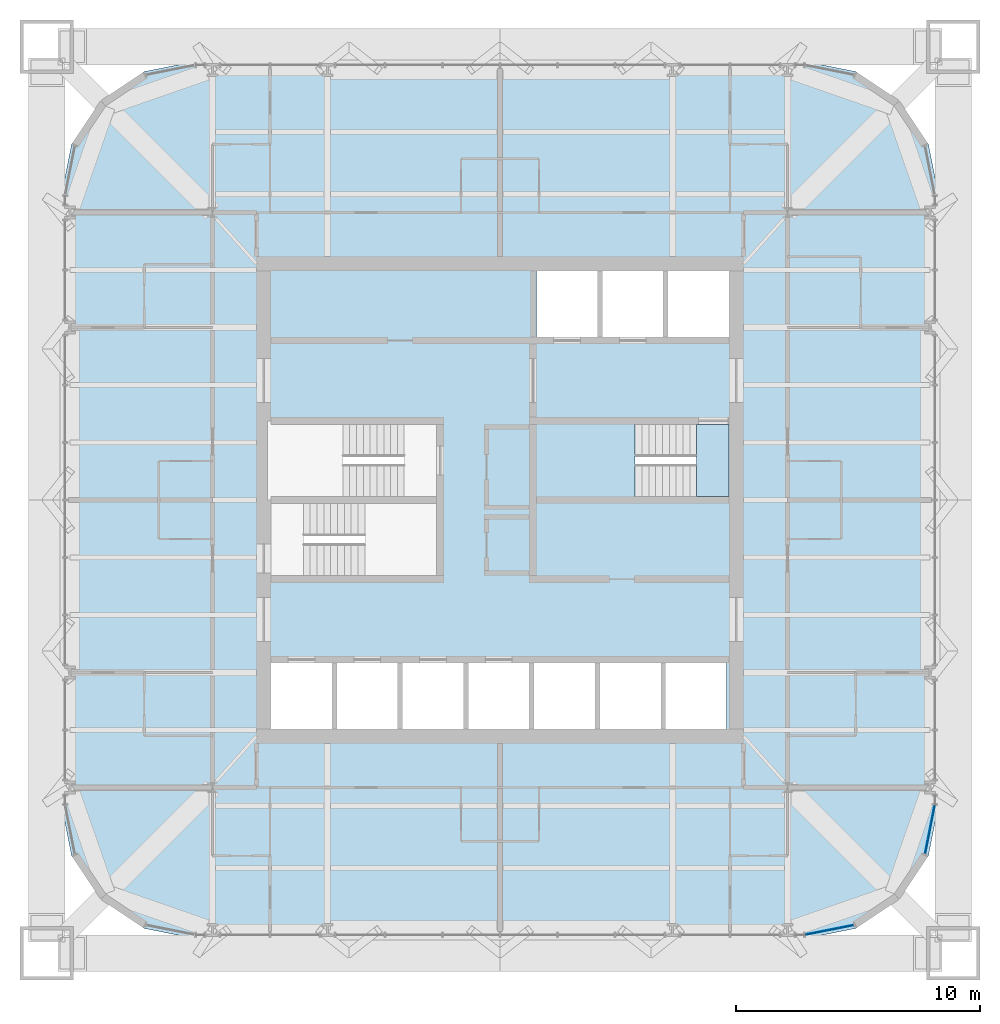
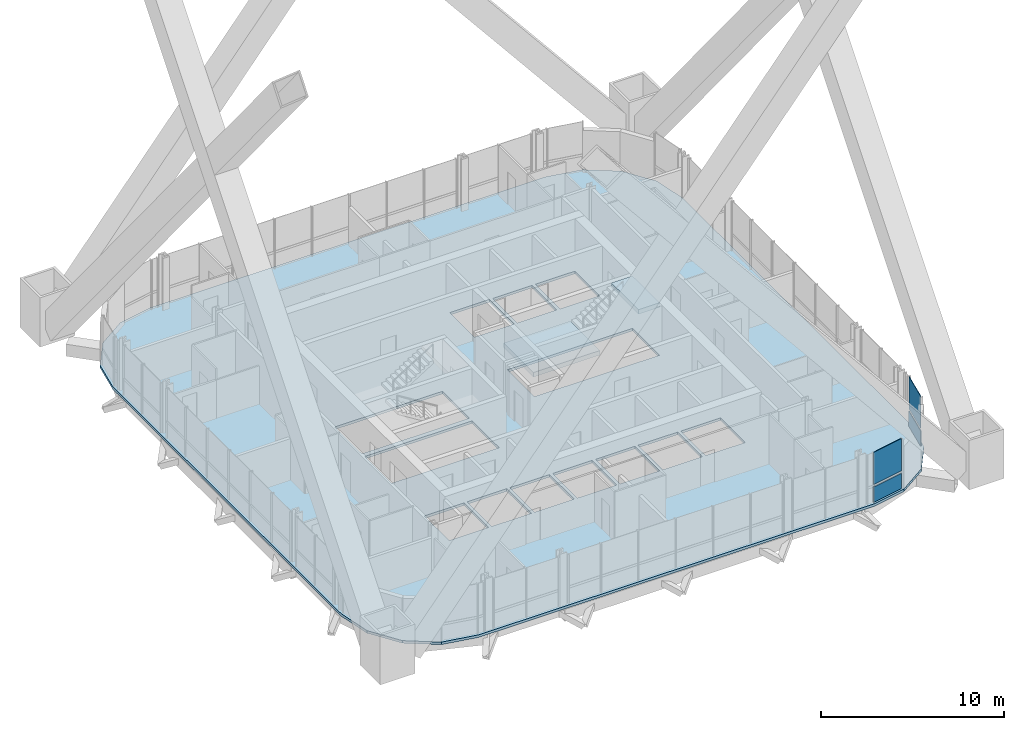
# One storey, part 16 of 23: 4 plates, 3 slabs, 3 elements without a shape of their own.
"""IFC4 building model written with IfcOpenShell, lengths in metres."""

from ifc_helpers import new_model, si_unit, direction, frame, origin, origin_2d, place, context, subcontext, project, spatial, polyline, rectangle, outline, extrude, material, layer, layer_set, type_object, element, aggregate, save


model = new_model("IFC4")

# Units and contexts
model_context = context("Model", 3, precision=1e-05, world=origin(), true_north=direction((0.0, 1.0)))
body_context = subcontext(model_context, "Body", "Model", "MODEL_VIEW")
ifc_project = project(units=[si_unit("LENGTHUNIT", "METRE"), si_unit("AREAUNIT", "SQUARE_METRE"), si_unit("VOLUMEUNIT", "CUBIC_METRE"), si_unit("PLANEANGLEUNIT", "RADIAN"), si_unit("MASSUNIT", "GRAM", prefix="KILO")], contexts=[model_context])

# Site, building, storey
site_placement = place(None, origin())
site = spatial("IfcSite", under=ifc_project, at=site_placement, CompositionType="ELEMENT")
building_placement = place(site_placement, origin())
building = spatial("IfcBuilding", under=site, at=building_placement, Name="Turquesa Mirador Hotel Tower", CompositionType="ELEMENT")
storey_placement = place(building_placement, frame((0.0, 0.0, 226.699951171875)))
storey = spatial("IfcBuildingStorey", under=building, at=storey_placement, Name="L61", CompositionType="ELEMENT", Elevation=226.699951171875)

# Slab
ifc_material_1 = material(Name="Concrete C28/35", Category="concrete")
ifc_layer_1 = layer(ifc_material_1, 0.169921875)
ifc_layer_set_1 = layer_set([ifc_layer_1], Name="COMPOSITE FLOOR SLAB 170")
slab_type_1 = type_object("IfcSlabType", Name="COMPOSITE FLOOR SLAB 170", PredefinedType="FLOOR", material=ifc_layer_set_1)
slab_1_placement = place(storey_placement, frame((0.0, 0.0, -0.169921875)))
element("IfcSlab", 1, at=slab_1_placement, inside=storey, type_object=slab_type_1, Name="Floor slab L61", PredefinedType="FLOOR", context=body_context, shape_type="SweptSolid", body=[
    extrude(outline(polyline([(67.5, 27.0), (69.604736328125, 27.418701171875), (71.38916015625, 28.61083984375), (72.581298828125, 30.395263671875), (73.0, 32.5), (73.0, 57.5), (72.581298828125, 59.604736328125), (71.38916015625, 61.38916015625), (69.604736328125, 62.581298828125), (67.5, 63.0), (42.5, 63.0), (40.395263671875, 62.581298828125), (38.61083984375, 61.38916015625), (37.418701171875, 59.604736328125), (37.0, 57.5), (37.0, 32.5), (37.418701171875, 30.395263671875), (38.61083984375, 28.61083984375), (40.395263671875, 27.418701171875), (42.5, 27.0), (67.5, 27.0)]), holes=[polyline([(56.5, 51.699951171875), (59.0, 51.699951171875), (59.0, 54.39990234375), (56.5, 54.39990234375), (56.5, 51.699951171875)]), polyline([(59.199951171875, 51.699951171875), (61.699951171875, 51.699951171875), (61.699951171875, 54.39990234375), (59.199951171875, 54.39990234375), (59.199951171875, 51.699951171875)]), polyline([(45.60009765625, 35.60009765625), (48.10009765625, 35.60009765625), (48.10009765625, 38.300048828125), (45.60009765625, 38.300048828125), (45.60009765625, 35.60009765625)]), polyline([(48.300048828125, 35.60009765625), (50.800048828125, 35.60009765625), (50.800048828125, 38.300048828125), (48.300048828125, 38.300048828125), (48.300048828125, 35.60009765625)]), polyline([(51.0, 35.60009765625), (53.5, 35.60009765625), (53.5, 38.300048828125), (51.0, 38.300048828125), (51.0, 35.60009765625)]), polyline([(53.699951171875, 35.60009765625), (56.199951171875, 35.60009765625), (56.199951171875, 38.300048828125), (53.699951171875, 38.300048828125), (53.699951171875, 35.60009765625)]), polyline([(56.39990234375, 35.60009765625), (58.89990234375, 35.60009765625), (58.89990234375, 38.300048828125), (56.39990234375, 38.300048828125), (56.39990234375, 35.60009765625)]), polyline([(59.10009765625, 35.60009765625), (61.60009765625, 35.60009765625), (61.60009765625, 38.300048828125), (59.10009765625, 38.300048828125), (59.10009765625, 35.60009765625)]), polyline([(61.800048828125, 35.60009765625), (64.300048828125, 35.60009765625), (64.300048828125, 38.300048828125), (61.800048828125, 38.300048828125), (61.800048828125, 35.60009765625)]), polyline([(45.60009765625, 45.14990234375), (52.39990234375, 45.14990234375), (52.39990234375, 48.10009765625), (45.60009765625, 48.10009765625), (45.60009765625, 45.14990234375)]), polyline([(45.60009765625, 41.89990234375), (52.39990234375, 41.89990234375), (52.39990234375, 44.85009765625), (45.60009765625, 44.85009765625), (45.60009765625, 41.89990234375)]), polyline([(56.5, 45.14990234375), (64.39990234375, 45.14990234375), (64.39990234375, 48.10009765625), (56.5, 48.10009765625), (56.5, 45.14990234375)]), polyline([(61.89990234375, 51.699951171875), (64.39990234375, 51.699951171875), (64.39990234375, 54.39990234375), (61.89990234375, 54.39990234375), (61.89990234375, 51.699951171875)])]), origin(), (0.0, 0.0, 1.0), 0.169921875),
])

# Curtain wall, plate
ifc_material_2 = material(Name="Aluminium extrusion", Category="aluminium")
curtain_wall_type = type_object("IfcCurtainWallType", Name="CW-4 SUITE FRITTED CURTAIN WALL", PredefinedType="USERDEFINED", material=ifc_material_2)
curtain_wall_1_placement = place(storey_placement, origin())
curtain_wall_1 = element("IfcCurtainWall", 2, at=curtain_wall_1_placement, inside=storey, type_object=curtain_wall_type, Name="CW-4 SUITE FRITTED CURTAIN WALL L61", ObjectType="CURTAIN WALL", PredefinedType="USERDEFINED")
ifc_material_3 = material(Name="Ceramic-printed spandrel glass on an insulated back pan", Category="glass")
ifc_layer_2 = layer(ifc_material_3, 0.050048828125)
ifc_layer_set_2 = layer_set([ifc_layer_2], Name="CW PANEL SPANDREL CERAMIC")
plate_type_1 = type_object("IfcPlateType", Name="CW PANEL SPANDREL CERAMIC", PredefinedType="CURTAIN_PANEL", material=ifc_layer_set_2)
plate_1_placement = place(storey_placement, frame((68.523681640625, 27.353515625, 0.0), z_axis=(0.0, 0.0, 1.0), x_axis=(0.980785228048, 0.195090585221, 0.0)))
plate_1 = element("IfcPlate", 3, at=plate_1_placement, type_object=plate_type_1, Name="Panel", PredefinedType="CURTAIN_PANEL", context=body_context, shape_type="SweptSolid", body=[
    extrude(rectangle(XDim=2.0224609375, YDim=0.050048828125, at=origin_2d()), origin(), (0.0, 0.0, 1.0), 1.02490234375),
])

curtain_wall_2_placement = place(storey_placement, origin())
curtain_wall_2 = element("IfcCurtainWall", 4, at=curtain_wall_2_placement, inside=storey, type_object=curtain_wall_type, Name="CW-4 SUITE FRITTED CURTAIN WALL L61", ObjectType="CURTAIN WALL", PredefinedType="USERDEFINED")
plate_2_placement = place(storey_placement, frame((72.646484375, 31.476318359375, 0.0), z_axis=(0.0, 0.0, 1.0), x_axis=(0.195090585221, 0.980785228048, 0.0)))
plate_2 = element("IfcPlate", 5, at=plate_2_placement, type_object=plate_type_1, Name="Panel", PredefinedType="CURTAIN_PANEL", context=body_context, shape_type="SweptSolid", body=[
    extrude(rectangle(XDim=2.0224609375, YDim=0.050048828125, at=origin_2d()), origin(), (0.0, 0.0, 1.0), 1.02490234375),
])

# Plate
ifc_material_4 = material(Name="Ceramic-fritted laminated glass", Category="glass")
ifc_layer_3 = layer(ifc_material_4, 0.031982421875)
ifc_layer_set_3 = layer_set([ifc_layer_3], Name="CW PANEL VISION FRITTED")
plate_type_2 = type_object("IfcPlateType", Name="CW PANEL VISION FRITTED", PredefinedType="CURTAIN_PANEL", material=ifc_layer_set_3)
plate_3_placement = place(storey_placement, frame((68.523681640625, 27.353515625, 1.1748046875), z_axis=(0.0, 0.0, 1.0), x_axis=(0.980785228048, 0.195090585221, 0.0)))
plate_3 = element("IfcPlate", 6, at=plate_3_placement, type_object=plate_type_2, Name="Panel", PredefinedType="CURTAIN_PANEL", context=body_context, shape_type="SweptSolid", body=[
    extrude(rectangle(XDim=2.0224609375, YDim=0.031982421875, at=origin_2d()), origin(), (0.0, 0.0, 1.0), 2.155029296875),
])

aggregate(curtain_wall_1, [plate_1, plate_3])

plate_4_placement = place(storey_placement, frame((72.646484375, 31.476318359375, 1.1748046875), z_axis=(0.0, 0.0, 1.0), x_axis=(0.195090585221, 0.980785228048, 0.0)))
plate_4 = element("IfcPlate", 7, at=plate_4_placement, type_object=plate_type_2, Name="Panel", PredefinedType="CURTAIN_PANEL", context=body_context, shape_type="SweptSolid", body=[
    extrude(rectangle(XDim=2.0224609375, YDim=0.031982421875, at=origin_2d()), origin(), (0.0, 0.0, 1.0), 2.155029296875),
])

aggregate(curtain_wall_2, [plate_2, plate_4])

# Stair, slabs
ifc_material_5 = material(Name="Concrete C35/45", Category="concrete")
stair_type = type_object("IfcStairType", Name="ESCAPE STAIR CORE", PredefinedType="HALF_TURN_STAIR", material=ifc_material_5)
stair_placement = place(storey_placement, origin())
stair = element("IfcStair", 8, at=stair_placement, inside=storey, type_object=stair_type, Name="Stair ST3 L61 to L62", PredefinedType="HALF_TURN_STAIR")
ifc_material_6 = material(Name="Concrete C35/45", Category="concrete")
ifc_layer_4 = layer(ifc_material_6, 0.300048828125)
ifc_layer_set_4 = layer_set([ifc_layer_4], Name="STAIR LANDING 300")
slab_type_2 = type_object("IfcSlabType", Name="STAIR LANDING 300", PredefinedType="LANDING", material=ifc_layer_set_4)
slab_2_placement = place(storey_placement, frame((0.0, 0.0, 1.449951171875)))
slab_2 = element("IfcSlab", 9, at=slab_2_placement, type_object=slab_type_2, Name="ST3 landing 1", PredefinedType="LANDING", context=body_context, shape_type="SweptSolid", body=[
    extrude(outline(polyline([(56.35009765625, 45.0), (60.550048828125, 45.0), (60.550048828125, 48.25), (56.35009765625, 48.25), (56.35009765625, 45.0)])), origin(), (0.0, 0.0, 1.0), 0.300048828125),
])
slab_3_placement = place(storey_placement, frame((0.0, 0.0, 3.199951171875)))
slab_3 = element("IfcSlab", 10, at=slab_3_placement, type_object=slab_type_2, Name="ST3 landing 2", PredefinedType="LANDING", context=body_context, shape_type="SweptSolid", body=[
    extrude(outline(polyline([(63.070068359375, 45.14990234375), (64.39990234375, 45.14990234375), (64.39990234375, 48.10009765625), (63.070068359375, 48.10009765625), (63.070068359375, 45.14990234375)])), origin(), (0.0, 0.0, 1.0), 0.300048828125),
])
aggregate(stair, [slab_2, slab_3])

save(model, "model.ifc")
